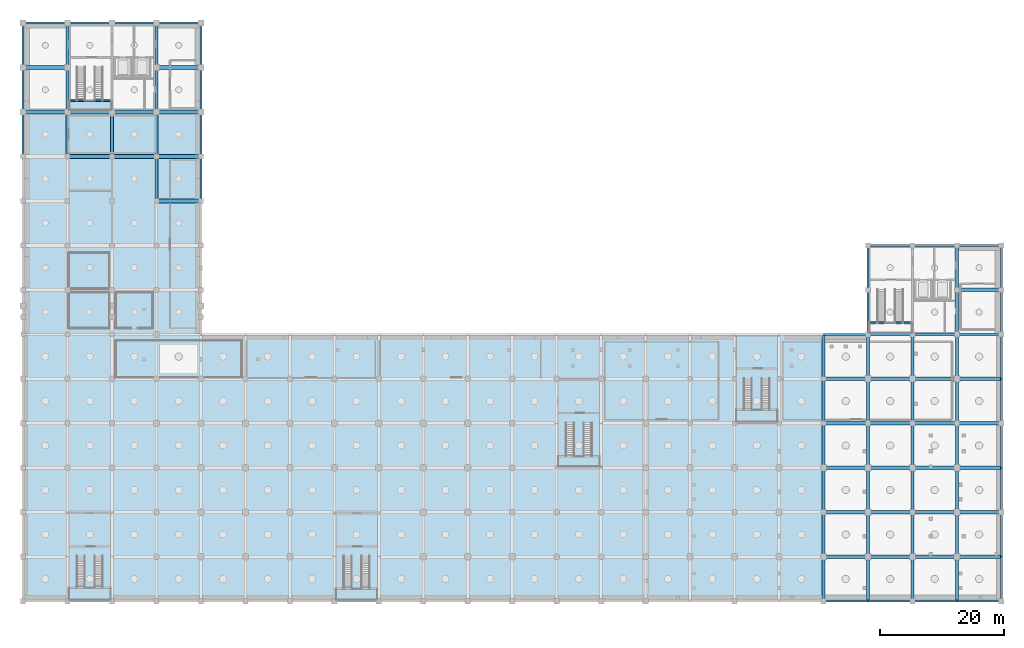
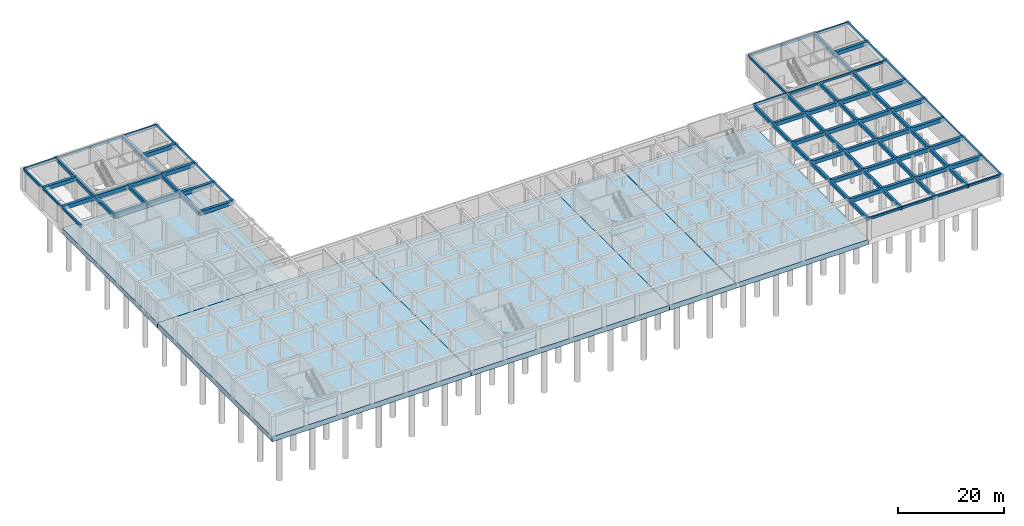
# One storey, part 5 of 15: 99 beams, 10 slabs, 5 elements without a shape of their own.
"""IFC4 building model written with IfcOpenShell, lengths in metres."""

from ifc_helpers import new_model, si_unit, direction, frame, origin, origin_2d, place, context, subcontext, project, spatial, polyline, rectangle, outline, extrude, material, layer, layer_set, material_profile, profile_set, type_object, element, aggregate, save


model = new_model("IFC4")

# Units and contexts
model_context = context("Model", 3, precision=1e-05, world=origin(), true_north=direction((0.0, 1.0)))
body_context = subcontext(model_context, "Body", "Model", "MODEL_VIEW")
ifc_project = project(units=[si_unit("LENGTHUNIT", "METRE"), si_unit("AREAUNIT", "SQUARE_METRE"), si_unit("VOLUMEUNIT", "CUBIC_METRE"), si_unit("PLANEANGLEUNIT", "RADIAN"), si_unit("MASSUNIT", "GRAM", prefix="KILO")], contexts=[model_context])

# Site, building, storey
site_placement = place(None, origin())
site = spatial("IfcSite", under=ifc_project, at=site_placement, CompositionType="ELEMENT")
building_placement = place(site_placement, origin())
building = spatial("IfcBuilding", under=site, at=building_placement, Name="Leyfeld Transit Interchange", CompositionType="ELEMENT")
storey_placement = place(building_placement, frame((0.0, 0.0, -10.800048828125)))
storey = spatial("IfcBuildingStorey", under=building, at=storey_placement, Name="B02", CompositionType="ELEMENT", Elevation=-10.800048828125)

# Beams
ifc_material_1 = material(Name="Concrete C35/45", Category="concrete")
ifc_material_profile_1 = material_profile(ifc_material_1, rectangle(XDim=0.300048828125, YDim=0.39990234375, at=origin_2d()), Name="RC 400x300")
ifc_profile_set_1 = profile_set([ifc_material_profile_1], Name="Concrete C35/45")
beam_type_1 = type_object("IfcBeamType", Name="BM-RC-400x300", PredefinedType="LINTEL", material=ifc_profile_set_1)
beam_1_placement = place(storey_placement, frame((7.425048828125, 95.4599609375, 2.5), z_axis=(1.0, 0.0, 0.0), x_axis=(0.0, 1.0, 0.0)))
element("IfcBeam", 1, at=beam_1_placement, inside=storey, type_object=beam_type_1, Name="Stair ST-01 B02 Half-Landing Corbel", PredefinedType="LINTEL", context=body_context, shape_type="SweptSolid", body=[
    extrude(rectangle(XDim=0.300048828125, YDim=0.39990234375, at=origin_2d()), origin(), (0.0, 0.0, 1.0), 6.974853515625),
])
beam_2_placement = place(storey_placement, frame((136.949951171875, 59.4599609375, 2.5), z_axis=(1.0, 0.0, 0.0), x_axis=(0.0, 1.0, 0.0)))
element("IfcBeam", 2, at=beam_2_placement, inside=storey, type_object=beam_type_1, Name="Stair ST-04 B02 Half-Landing Corbel", PredefinedType="LINTEL", context=body_context, shape_type="SweptSolid", body=[
    extrude(rectangle(XDim=0.300048828125, YDim=0.39990234375, at=origin_2d()), origin(), (0.0, 0.0, 1.0), 7.050048828125),
])
ifc_material_profile_2 = material_profile(ifc_material_1, rectangle(XDim=0.35009765625, YDim=0.5, at=origin_2d()), Name="RC 500x350")
ifc_profile_set_2 = profile_set([ifc_material_profile_2], Name="Concrete C35/45")
beam_type_2 = type_object("IfcBeamType", Name="BM-RC-500x350", PredefinedType="SPANDREL", material=ifc_profile_set_2)
beam_3_placement = place(storey_placement, frame((158.39990234375, 14.39990234375, 4.75), z_axis=(0.0, 1.0, 0.0), x_axis=(-1.0, 0.0, 0.0)))
element("IfcBeam", 3, at=beam_3_placement, inside=storey, type_object=beam_type_2, Name="Beam BM-B02-1584_0144-1584_0216", PredefinedType="SPANDREL", context=body_context, shape_type="SweptSolid", body=[
    extrude(rectangle(XDim=0.35009765625, YDim=0.5, at=origin_2d()), origin(), (0.0, 0.0, 1.0), 7.2001953125),
])
for number, where, z_axis, x_axis, name in (
    (4, (158.39990234375, 21.60009765625, 4.75), (0.0, 1.0, 0.0), (-1.0, 0.0, 0.0), "Beam BM-B02-1584_0216-1584_0288"),
    (5, (158.39990234375, 28.800048828125, 4.75), (0.0, 1.0, 0.0), (-1.0, 0.0, 0.0), "Beam BM-B02-1584_0288-1584_0360"),
    (6, (158.39990234375, 36.0, 4.75), (0.0, 1.0, 0.0), (-1.0, 0.0, 0.0), "Beam BM-B02-1584_0360-1584_0432"),
    (7, (158.39990234375, 43.199951171875, 4.75), (0.0, 1.0, 0.0), (-1.0, 0.0, 0.0), "Beam BM-B02-1584_0432-1584_0504"),
):
    element("IfcBeam", number, at=place(storey_placement, frame(where, z_axis=z_axis, x_axis=x_axis)), inside=storey, type_object=beam_type_2, Name=name, PredefinedType="SPANDREL", context=body_context, shape_type="SweptSolid", body=[
        extrude(rectangle(XDim=0.35009765625, YDim=0.5, at=origin_2d()), origin(), (0.0, 0.0, 1.0), 7.199951171875),
    ])
beam_4_placement = place(storey_placement, frame((158.39990234375, 50.39990234375, 4.75), z_axis=(0.0, 1.0, 0.0), x_axis=(-1.0, 0.0, 0.0)))
element("IfcBeam", 8, at=beam_4_placement, inside=storey, type_object=beam_type_2, Name="Beam BM-B02-1584_0504-1584_0576", PredefinedType="SPANDREL", context=body_context, shape_type="SweptSolid", body=[
    extrude(rectangle(XDim=0.35009765625, YDim=0.5, at=origin_2d()), origin(), (0.0, 0.0, 1.0), 7.2001953125),
])
for number, where, z_axis, x_axis, name in (
    (9, (129.60009765625, 14.39990234375, 4.75), (1.0, 0.0, 0.0), (0.0, 1.0, 0.0), "Beam BM-B02-1296_0144-1368_0144"),
    (10, (136.800048828125, 14.39990234375, 4.75), (1.0, 0.0, 0.0), (0.0, 1.0, 0.0), "Beam BM-B02-1368_0144-1440_0144"),
    (11, (144.0, 14.39990234375, 4.75), (1.0, 0.0, 0.0), (0.0, 1.0, 0.0), "Beam BM-B02-1440_0144-1512_0144"),
    (12, (151.199951171875, 14.39990234375, 4.75), (1.0, 0.0, 0.0), (0.0, 1.0, 0.0), "Beam BM-B02-1512_0144-1584_0144"),
    (13, (129.60009765625, 57.60009765625, 4.75), (1.0, 0.0, 0.0), (0.0, 1.0, 0.0), "Beam BM-B02-1296_0576-1368_0576"),
    (14, (136.800048828125, 57.60009765625, 4.75), (1.0, 0.0, 0.0), (0.0, 1.0, 0.0), "Beam BM-B02-1368_0576-1440_0576"),
    (15, (144.0, 57.60009765625, 4.75), (1.0, 0.0, 0.0), (0.0, 1.0, 0.0), "Beam BM-B02-1440_0576-1512_0576"),
    (16, (151.199951171875, 57.60009765625, 4.75), (1.0, 0.0, 0.0), (0.0, 1.0, 0.0), "Beam BM-B02-1512_0576-1584_0576"),
):
    element("IfcBeam", number, at=place(storey_placement, frame(where, z_axis=z_axis, x_axis=x_axis)), inside=storey, type_object=beam_type_2, Name=name, PredefinedType="SPANDREL", context=body_context, shape_type="SweptSolid", body=[
        extrude(rectangle(XDim=0.35009765625, YDim=0.5, at=origin_2d()), origin(), (0.0, 0.0, 1.0), 7.199951171875),
    ])
beam_5_placement = place(storey_placement, frame((0.0, 86.39990234375, 4.77001953125), z_axis=(0.0, 1.0, 0.0), x_axis=(-1.0, 0.0, 0.0)))
element("IfcBeam", 17, at=beam_5_placement, inside=storey, type_object=beam_type_2, Name="Beam BM-B02-0000_0864-0000_0936", PredefinedType="SPANDREL", context=body_context, shape_type="SweptSolid", body=[
    extrude(rectangle(XDim=0.35009765625, YDim=0.5, at=origin_2d()), origin(), (0.0, 0.0, 1.0), 7.2001953125),
])
for number, where, z_axis, x_axis, name in (
    (18, (0.0, 93.60009765625, 4.77001953125), (0.0, 1.0, 0.0), (-1.0, 0.0, 0.0), "Beam BM-B02-0000_0936-0000_1008"),
    (19, (0.0, 100.800048828125, 4.77001953125), (0.0, 1.0, 0.0), (-1.0, 0.0, 0.0), "Beam BM-B02-0000_1008-0000_1080"),
    (20, (28.800048828125, 79.199951171875, 4.77001953125), (0.0, 1.0, 0.0), (-1.0, 0.0, 0.0), "Beam BM-B02-0288_0792-0288_0864"),
):
    element("IfcBeam", number, at=place(storey_placement, frame(where, z_axis=z_axis, x_axis=x_axis)), inside=storey, type_object=beam_type_2, Name=name, PredefinedType="SPANDREL", context=body_context, shape_type="SweptSolid", body=[
        extrude(rectangle(XDim=0.35009765625, YDim=0.5, at=origin_2d()), origin(), (0.0, 0.0, 1.0), 7.199951171875),
    ])
beam_6_placement = place(storey_placement, frame((28.800048828125, 86.39990234375, 4.77001953125), z_axis=(0.0, 1.0, 0.0), x_axis=(-1.0, 0.0, 0.0)))
element("IfcBeam", 21, at=beam_6_placement, inside=storey, type_object=beam_type_2, Name="Beam BM-B02-0288_0864-0288_0936", PredefinedType="SPANDREL", context=body_context, shape_type="SweptSolid", body=[
    extrude(rectangle(XDim=0.35009765625, YDim=0.5, at=origin_2d()), origin(), (0.0, 0.0, 1.0), 7.2001953125),
])
for number, where, z_axis, x_axis, name in (
    (22, (28.800048828125, 93.60009765625, 4.77001953125), (0.0, 1.0, 0.0), (-1.0, 0.0, 0.0), "Beam BM-B02-0288_0936-0288_1008"),
    (23, (28.800048828125, 100.800048828125, 4.77001953125), (0.0, 1.0, 0.0), (-1.0, 0.0, 0.0), "Beam BM-B02-0288_1008-0288_1080"),
    (24, (0.0, 108.0, 4.77001953125), (1.0, 0.0, 0.0), (0.0, 1.0, 0.0), "Beam BM-B02-0000_1080-0072_1080"),
    (25, (7.199951171875, 108.0, 4.77001953125), (1.0, 0.0, 0.0), (0.0, 1.0, 0.0), "Beam BM-B02-0072_1080-0144_1080"),
):
    element("IfcBeam", number, at=place(storey_placement, frame(where, z_axis=z_axis, x_axis=x_axis)), inside=storey, type_object=beam_type_2, Name=name, PredefinedType="SPANDREL", context=body_context, shape_type="SweptSolid", body=[
        extrude(rectangle(XDim=0.35009765625, YDim=0.5, at=origin_2d()), origin(), (0.0, 0.0, 1.0), 7.199951171875),
    ])
beam_7_placement = place(storey_placement, frame((14.39990234375, 108.0, 4.77001953125), z_axis=(1.0, 0.0, 0.0), x_axis=(0.0, 1.0, 0.0)))
element("IfcBeam", 26, at=beam_7_placement, inside=storey, type_object=beam_type_2, Name="Beam BM-B02-0144_1080-0216_1080", PredefinedType="SPANDREL", context=body_context, shape_type="SweptSolid", body=[
    extrude(rectangle(XDim=0.35009765625, YDim=0.5, at=origin_2d()), origin(), (0.0, 0.0, 1.0), 7.2001953125),
])
for number, where, z_axis, x_axis, name in (
    (27, (21.60009765625, 108.0, 4.77001953125), (1.0, 0.0, 0.0), (0.0, 1.0, 0.0), "Beam BM-B02-0216_1080-0288_1080"),
    (28, (136.800048828125, 57.60009765625, 4.77001953125), (0.0, 1.0, 0.0), (-1.0, 0.0, 0.0), "Beam BM-B02-1368_0576-1368_0648"),
    (29, (136.800048828125, 64.800048828125, 4.77001953125), (0.0, 1.0, 0.0), (-1.0, 0.0, 0.0), "Beam BM-B02-1368_0648-1368_0720"),
    (30, (158.39990234375, 57.60009765625, 4.77001953125), (0.0, 1.0, 0.0), (-1.0, 0.0, 0.0), "Beam BM-B02-1584_0576-1584_0648"),
    (31, (158.39990234375, 64.800048828125, 4.77001953125), (0.0, 1.0, 0.0), (-1.0, 0.0, 0.0), "Beam BM-B02-1584_0648-1584_0720"),
    (32, (136.800048828125, 72.0, 4.77001953125), (1.0, 0.0, 0.0), (0.0, 1.0, 0.0), "Beam BM-B02-1368_0720-1440_0720"),
    (33, (144.0, 72.0, 4.77001953125), (1.0, 0.0, 0.0), (0.0, 1.0, 0.0), "Beam BM-B02-1440_0720-1512_0720"),
    (34, (151.199951171875, 72.0, 4.77001953125), (1.0, 0.0, 0.0), (0.0, 1.0, 0.0), "Beam BM-B02-1512_0720-1584_0720"),
):
    element("IfcBeam", number, at=place(storey_placement, frame(where, z_axis=z_axis, x_axis=x_axis)), inside=storey, type_object=beam_type_2, Name=name, PredefinedType="SPANDREL", context=body_context, shape_type="SweptSolid", body=[
        extrude(rectangle(XDim=0.35009765625, YDim=0.5, at=origin_2d()), origin(), (0.0, 0.0, 1.0), 7.199951171875),
    ])
ifc_material_profile_3 = material_profile(ifc_material_1, rectangle(XDim=0.5, YDim=0.800048828125, at=origin_2d()), Name="RC 800x500")
ifc_profile_set_3 = profile_set([ifc_material_profile_3], Name="Concrete C35/45")
beam_type_3 = type_object("IfcBeamType", Name="BM-RC-800x500", PredefinedType="JOIST", material=ifc_profile_set_3)
beam_8_placement = place(storey_placement, frame((129.60009765625, 14.39990234375, 4.60009765625), z_axis=(0.0, 1.0, 0.0), x_axis=(-1.0, 0.0, 0.0)))
element("IfcBeam", 35, at=beam_8_placement, inside=storey, type_object=beam_type_3, Name="Beam BM-B02-1296_0144-1296_0216", PredefinedType="JOIST", context=body_context, shape_type="SweptSolid", body=[
    extrude(rectangle(XDim=0.5, YDim=0.800048828125, at=origin_2d()), origin(), (0.0, 0.0, 1.0), 7.2001953125),
])
for number, where, z_axis, x_axis, name in (
    (36, (129.60009765625, 21.60009765625, 4.60009765625), (0.0, 1.0, 0.0), (-1.0, 0.0, 0.0), "Beam BM-B02-1296_0216-1296_0288"),
    (37, (129.60009765625, 28.800048828125, 4.60009765625), (0.0, 1.0, 0.0), (-1.0, 0.0, 0.0), "Beam BM-B02-1296_0288-1296_0360"),
    (38, (129.60009765625, 36.0, 4.60009765625), (0.0, 1.0, 0.0), (-1.0, 0.0, 0.0), "Beam BM-B02-1296_0360-1296_0432"),
    (39, (129.60009765625, 43.199951171875, 4.60009765625), (0.0, 1.0, 0.0), (-1.0, 0.0, 0.0), "Beam BM-B02-1296_0432-1296_0504"),
):
    element("IfcBeam", number, at=place(storey_placement, frame(where, z_axis=z_axis, x_axis=x_axis)), inside=storey, type_object=beam_type_3, Name=name, PredefinedType="JOIST", context=body_context, shape_type="SweptSolid", body=[
        extrude(rectangle(XDim=0.5, YDim=0.800048828125, at=origin_2d()), origin(), (0.0, 0.0, 1.0), 7.199951171875),
    ])
for number, where, z_axis, x_axis, name in (
    (40, (129.60009765625, 50.39990234375, 4.60009765625), (0.0, 1.0, 0.0), (-1.0, 0.0, 0.0), "Beam BM-B02-1296_0504-1296_0576"),
    (41, (136.800048828125, 14.39990234375, 4.60009765625), (0.0, 1.0, 0.0), (-1.0, 0.0, 0.0), "Beam BM-B02-1368_0144-1368_0216"),
):
    element("IfcBeam", number, at=place(storey_placement, frame(where, z_axis=z_axis, x_axis=x_axis)), inside=storey, type_object=beam_type_3, Name=name, PredefinedType="JOIST", context=body_context, shape_type="SweptSolid", body=[
        extrude(rectangle(XDim=0.5, YDim=0.800048828125, at=origin_2d()), origin(), (0.0, 0.0, 1.0), 7.2001953125),
    ])
for number, where, z_axis, x_axis, name in (
    (42, (136.800048828125, 21.60009765625, 4.60009765625), (0.0, 1.0, 0.0), (-1.0, 0.0, 0.0), "Beam BM-B02-1368_0216-1368_0288"),
    (43, (136.800048828125, 28.800048828125, 4.60009765625), (0.0, 1.0, 0.0), (-1.0, 0.0, 0.0), "Beam BM-B02-1368_0288-1368_0360"),
    (44, (136.800048828125, 36.0, 4.60009765625), (0.0, 1.0, 0.0), (-1.0, 0.0, 0.0), "Beam BM-B02-1368_0360-1368_0432"),
    (45, (136.800048828125, 43.199951171875, 4.60009765625), (0.0, 1.0, 0.0), (-1.0, 0.0, 0.0), "Beam BM-B02-1368_0432-1368_0504"),
):
    element("IfcBeam", number, at=place(storey_placement, frame(where, z_axis=z_axis, x_axis=x_axis)), inside=storey, type_object=beam_type_3, Name=name, PredefinedType="JOIST", context=body_context, shape_type="SweptSolid", body=[
        extrude(rectangle(XDim=0.5, YDim=0.800048828125, at=origin_2d()), origin(), (0.0, 0.0, 1.0), 7.199951171875),
    ])
for number, where, z_axis, x_axis, name in (
    (46, (136.800048828125, 50.39990234375, 4.60009765625), (0.0, 1.0, 0.0), (-1.0, 0.0, 0.0), "Beam BM-B02-1368_0504-1368_0576"),
    (47, (144.0, 14.39990234375, 4.60009765625), (0.0, 1.0, 0.0), (-1.0, 0.0, 0.0), "Beam BM-B02-1440_0144-1440_0216"),
):
    element("IfcBeam", number, at=place(storey_placement, frame(where, z_axis=z_axis, x_axis=x_axis)), inside=storey, type_object=beam_type_3, Name=name, PredefinedType="JOIST", context=body_context, shape_type="SweptSolid", body=[
        extrude(rectangle(XDim=0.5, YDim=0.800048828125, at=origin_2d()), origin(), (0.0, 0.0, 1.0), 7.2001953125),
    ])
for number, where, z_axis, x_axis, name in (
    (48, (144.0, 21.60009765625, 4.60009765625), (0.0, 1.0, 0.0), (-1.0, 0.0, 0.0), "Beam BM-B02-1440_0216-1440_0288"),
    (49, (144.0, 28.800048828125, 4.60009765625), (0.0, 1.0, 0.0), (-1.0, 0.0, 0.0), "Beam BM-B02-1440_0288-1440_0360"),
    (50, (144.0, 36.0, 4.60009765625), (0.0, 1.0, 0.0), (-1.0, 0.0, 0.0), "Beam BM-B02-1440_0360-1440_0432"),
    (51, (144.0, 43.199951171875, 4.60009765625), (0.0, 1.0, 0.0), (-1.0, 0.0, 0.0), "Beam BM-B02-1440_0432-1440_0504"),
):
    element("IfcBeam", number, at=place(storey_placement, frame(where, z_axis=z_axis, x_axis=x_axis)), inside=storey, type_object=beam_type_3, Name=name, PredefinedType="JOIST", context=body_context, shape_type="SweptSolid", body=[
        extrude(rectangle(XDim=0.5, YDim=0.800048828125, at=origin_2d()), origin(), (0.0, 0.0, 1.0), 7.199951171875),
    ])
for number, where, z_axis, x_axis, name in (
    (52, (144.0, 50.39990234375, 4.60009765625), (0.0, 1.0, 0.0), (-1.0, 0.0, 0.0), "Beam BM-B02-1440_0504-1440_0576"),
    (53, (151.199951171875, 14.39990234375, 4.60009765625), (0.0, 1.0, 0.0), (-1.0, 0.0, 0.0), "Beam BM-B02-1512_0144-1512_0216"),
):
    element("IfcBeam", number, at=place(storey_placement, frame(where, z_axis=z_axis, x_axis=x_axis)), inside=storey, type_object=beam_type_3, Name=name, PredefinedType="JOIST", context=body_context, shape_type="SweptSolid", body=[
        extrude(rectangle(XDim=0.5, YDim=0.800048828125, at=origin_2d()), origin(), (0.0, 0.0, 1.0), 7.2001953125),
    ])
for number, where, z_axis, x_axis, name in (
    (54, (151.199951171875, 21.60009765625, 4.60009765625), (0.0, 1.0, 0.0), (-1.0, 0.0, 0.0), "Beam BM-B02-1512_0216-1512_0288"),
    (55, (151.199951171875, 28.800048828125, 4.60009765625), (0.0, 1.0, 0.0), (-1.0, 0.0, 0.0), "Beam BM-B02-1512_0288-1512_0360"),
    (56, (151.199951171875, 36.0, 4.60009765625), (0.0, 1.0, 0.0), (-1.0, 0.0, 0.0), "Beam BM-B02-1512_0360-1512_0432"),
    (57, (151.199951171875, 43.199951171875, 4.60009765625), (0.0, 1.0, 0.0), (-1.0, 0.0, 0.0), "Beam BM-B02-1512_0432-1512_0504"),
):
    element("IfcBeam", number, at=place(storey_placement, frame(where, z_axis=z_axis, x_axis=x_axis)), inside=storey, type_object=beam_type_3, Name=name, PredefinedType="JOIST", context=body_context, shape_type="SweptSolid", body=[
        extrude(rectangle(XDim=0.5, YDim=0.800048828125, at=origin_2d()), origin(), (0.0, 0.0, 1.0), 7.199951171875),
    ])
for number, where, z_axis, x_axis, name in (
    (58, (151.199951171875, 50.39990234375, 4.60009765625), (0.0, 1.0, 0.0), (-1.0, 0.0, 0.0), "Beam BM-B02-1512_0504-1512_0576"),
    (59, (7.199951171875, 86.39990234375, 4.6201171875), (0.0, 1.0, 0.0), (-1.0, 0.0, 0.0), "Beam BM-B02-0072_0864-0072_0936"),
):
    element("IfcBeam", number, at=place(storey_placement, frame(where, z_axis=z_axis, x_axis=x_axis)), inside=storey, type_object=beam_type_3, Name=name, PredefinedType="JOIST", context=body_context, shape_type="SweptSolid", body=[
        extrude(rectangle(XDim=0.5, YDim=0.800048828125, at=origin_2d()), origin(), (0.0, 0.0, 1.0), 7.2001953125),
    ])
for number, where, z_axis, x_axis, name in (
    (60, (7.199951171875, 93.60009765625, 4.6201171875), (0.0, 1.0, 0.0), (-1.0, 0.0, 0.0), "Beam BM-B02-0072_0936-0072_1008"),
    (61, (7.199951171875, 100.800048828125, 4.6201171875), (0.0, 1.0, 0.0), (-1.0, 0.0, 0.0), "Beam BM-B02-0072_1008-0072_1080"),
):
    element("IfcBeam", number, at=place(storey_placement, frame(where, z_axis=z_axis, x_axis=x_axis)), inside=storey, type_object=beam_type_3, Name=name, PredefinedType="JOIST", context=body_context, shape_type="SweptSolid", body=[
        extrude(rectangle(XDim=0.5, YDim=0.800048828125, at=origin_2d()), origin(), (0.0, 0.0, 1.0), 7.199951171875),
    ])
beam_9_placement = place(storey_placement, frame((14.39990234375, 86.39990234375, 4.6201171875), z_axis=(0.0, 1.0, 0.0), x_axis=(-1.0, 0.0, 0.0)))
element("IfcBeam", 62, at=beam_9_placement, inside=storey, type_object=beam_type_3, Name="Beam BM-B02-0144_0864-0144_0936", PredefinedType="JOIST", context=body_context, shape_type="SweptSolid", body=[
    extrude(rectangle(XDim=0.5, YDim=0.800048828125, at=origin_2d()), origin(), (0.0, 0.0, 1.0), 7.2001953125),
])
beam_10_placement = place(storey_placement, frame((21.60009765625, 79.199951171875, 4.6201171875), z_axis=(0.0, 1.0, 0.0), x_axis=(-1.0, 0.0, 0.0)))
element("IfcBeam", 63, at=beam_10_placement, inside=storey, type_object=beam_type_3, Name="Beam BM-B02-0216_0792-0216_0864", PredefinedType="JOIST", context=body_context, shape_type="SweptSolid", body=[
    extrude(rectangle(XDim=0.5, YDim=0.800048828125, at=origin_2d()), origin(), (0.0, 0.0, 1.0), 7.199951171875),
])
beam_11_placement = place(storey_placement, frame((21.60009765625, 86.39990234375, 4.6201171875), z_axis=(0.0, 1.0, 0.0), x_axis=(-1.0, 0.0, 0.0)))
element("IfcBeam", 64, at=beam_11_placement, inside=storey, type_object=beam_type_3, Name="Beam BM-B02-0216_0864-0216_0936", PredefinedType="JOIST", context=body_context, shape_type="SweptSolid", body=[
    extrude(rectangle(XDim=0.5, YDim=0.800048828125, at=origin_2d()), origin(), (0.0, 0.0, 1.0), 7.2001953125),
])
for number, where, z_axis, x_axis, name in (
    (65, (21.60009765625, 93.60009765625, 4.6201171875), (0.0, 1.0, 0.0), (-1.0, 0.0, 0.0), "Beam BM-B02-0216_0936-0216_1008"),
    (66, (21.60009765625, 100.800048828125, 4.6201171875), (0.0, 1.0, 0.0), (-1.0, 0.0, 0.0), "Beam BM-B02-0216_1008-0216_1080"),
    (67, (151.199951171875, 57.60009765625, 4.6201171875), (0.0, 1.0, 0.0), (-1.0, 0.0, 0.0), "Beam BM-B02-1512_0576-1512_0648"),
    (68, (151.199951171875, 64.800048828125, 4.6201171875), (0.0, 1.0, 0.0), (-1.0, 0.0, 0.0), "Beam BM-B02-1512_0648-1512_0720"),
):
    element("IfcBeam", number, at=place(storey_placement, frame(where, z_axis=z_axis, x_axis=x_axis)), inside=storey, type_object=beam_type_3, Name=name, PredefinedType="JOIST", context=body_context, shape_type="SweptSolid", body=[
        extrude(rectangle(XDim=0.5, YDim=0.800048828125, at=origin_2d()), origin(), (0.0, 0.0, 1.0), 7.199951171875),
    ])
ifc_material_profile_4 = material_profile(ifc_material_1, rectangle(XDim=0.60009765625, YDim=0.89990234375, at=origin_2d()), Name="RC 900x600")
ifc_profile_set_4 = profile_set([ifc_material_profile_4], Name="Concrete C35/45")
beam_type_4 = type_object("IfcBeamType", Name="BM-RC-900x600", PredefinedType="JOIST", material=ifc_profile_set_4)
for number, where, z_axis, x_axis, name in (
    (69, (129.60009765625, 21.60009765625, 4.550048828125), (1.0, 0.0, 0.0), (0.0, 1.0, 0.0), "Beam BM-B02-1296_0216-1368_0216"),
    (70, (136.800048828125, 21.60009765625, 4.550048828125), (1.0, 0.0, 0.0), (0.0, 1.0, 0.0), "Beam BM-B02-1368_0216-1440_0216"),
    (71, (144.0, 21.60009765625, 4.550048828125), (1.0, 0.0, 0.0), (0.0, 1.0, 0.0), "Beam BM-B02-1440_0216-1512_0216"),
    (72, (151.199951171875, 21.60009765625, 4.550048828125), (1.0, 0.0, 0.0), (0.0, 1.0, 0.0), "Beam BM-B02-1512_0216-1584_0216"),
    (73, (129.60009765625, 28.800048828125, 4.550048828125), (1.0, 0.0, 0.0), (0.0, 1.0, 0.0), "Beam BM-B02-1296_0288-1368_0288"),
    (74, (136.800048828125, 28.800048828125, 4.550048828125), (1.0, 0.0, 0.0), (0.0, 1.0, 0.0), "Beam BM-B02-1368_0288-1440_0288"),
    (75, (144.0, 28.800048828125, 4.550048828125), (1.0, 0.0, 0.0), (0.0, 1.0, 0.0), "Beam BM-B02-1440_0288-1512_0288"),
    (76, (151.199951171875, 28.800048828125, 4.550048828125), (1.0, 0.0, 0.0), (0.0, 1.0, 0.0), "Beam BM-B02-1512_0288-1584_0288"),
    (77, (129.60009765625, 36.0, 4.550048828125), (1.0, 0.0, 0.0), (0.0, 1.0, 0.0), "Beam BM-B02-1296_0360-1368_0360"),
    (78, (136.800048828125, 36.0, 4.550048828125), (1.0, 0.0, 0.0), (0.0, 1.0, 0.0), "Beam BM-B02-1368_0360-1440_0360"),
    (79, (144.0, 36.0, 4.550048828125), (1.0, 0.0, 0.0), (0.0, 1.0, 0.0), "Beam BM-B02-1440_0360-1512_0360"),
    (80, (151.199951171875, 36.0, 4.550048828125), (1.0, 0.0, 0.0), (0.0, 1.0, 0.0), "Beam BM-B02-1512_0360-1584_0360"),
    (81, (129.60009765625, 43.199951171875, 4.550048828125), (1.0, 0.0, 0.0), (0.0, 1.0, 0.0), "Beam BM-B02-1296_0432-1368_0432"),
    (82, (136.800048828125, 43.199951171875, 4.550048828125), (1.0, 0.0, 0.0), (0.0, 1.0, 0.0), "Beam BM-B02-1368_0432-1440_0432"),
    (83, (144.0, 43.199951171875, 4.550048828125), (1.0, 0.0, 0.0), (0.0, 1.0, 0.0), "Beam BM-B02-1440_0432-1512_0432"),
    (84, (151.199951171875, 43.199951171875, 4.550048828125), (1.0, 0.0, 0.0), (0.0, 1.0, 0.0), "Beam BM-B02-1512_0432-1584_0432"),
    (85, (129.60009765625, 50.39990234375, 4.550048828125), (1.0, 0.0, 0.0), (0.0, 1.0, 0.0), "Beam BM-B02-1296_0504-1368_0504"),
    (86, (136.800048828125, 50.39990234375, 4.550048828125), (1.0, 0.0, 0.0), (0.0, 1.0, 0.0), "Beam BM-B02-1368_0504-1440_0504"),
    (87, (144.0, 50.39990234375, 4.550048828125), (1.0, 0.0, 0.0), (0.0, 1.0, 0.0), "Beam BM-B02-1440_0504-1512_0504"),
    (88, (151.199951171875, 50.39990234375, 4.550048828125), (1.0, 0.0, 0.0), (0.0, 1.0, 0.0), "Beam BM-B02-1512_0504-1584_0504"),
    (89, (21.60009765625, 79.199951171875, 4.570068359375), (1.0, 0.0, 0.0), (0.0, 1.0, 0.0), "Beam BM-B02-0216_0792-0288_0792"),
    (90, (7.199951171875, 86.39990234375, 4.570068359375), (1.0, 0.0, 0.0), (0.0, 1.0, 0.0), "Beam BM-B02-0072_0864-0144_0864"),
):
    element("IfcBeam", number, at=place(storey_placement, frame(where, z_axis=z_axis, x_axis=x_axis)), inside=storey, type_object=beam_type_4, Name=name, PredefinedType="JOIST", context=body_context, shape_type="SweptSolid", body=[
        extrude(rectangle(XDim=0.60009765625, YDim=0.89990234375, at=origin_2d()), origin(), (0.0, 0.0, 1.0), 7.199951171875),
    ])
beam_12_placement = place(storey_placement, frame((14.39990234375, 86.39990234375, 4.570068359375), z_axis=(1.0, 0.0, 0.0), x_axis=(0.0, 1.0, 0.0)))
element("IfcBeam", 91, at=beam_12_placement, inside=storey, type_object=beam_type_4, Name="Beam BM-B02-0144_0864-0216_0864", PredefinedType="JOIST", context=body_context, shape_type="SweptSolid", body=[
    extrude(rectangle(XDim=0.60009765625, YDim=0.89990234375, at=origin_2d()), origin(), (0.0, 0.0, 1.0), 7.2001953125),
])
for number, where, z_axis, x_axis, name in (
    (92, (21.60009765625, 86.39990234375, 4.570068359375), (1.0, 0.0, 0.0), (0.0, 1.0, 0.0), "Beam BM-B02-0216_0864-0288_0864"),
    (93, (0.0, 93.60009765625, 4.570068359375), (1.0, 0.0, 0.0), (0.0, 1.0, 0.0), "Beam BM-B02-0000_0936-0072_0936"),
    (94, (7.199951171875, 93.60009765625, 4.570068359375), (1.0, 0.0, 0.0), (0.0, 1.0, 0.0), "Beam BM-B02-0072_0936-0144_0936"),
):
    element("IfcBeam", number, at=place(storey_placement, frame(where, z_axis=z_axis, x_axis=x_axis)), inside=storey, type_object=beam_type_4, Name=name, PredefinedType="JOIST", context=body_context, shape_type="SweptSolid", body=[
        extrude(rectangle(XDim=0.60009765625, YDim=0.89990234375, at=origin_2d()), origin(), (0.0, 0.0, 1.0), 7.199951171875),
    ])
beam_13_placement = place(storey_placement, frame((14.39990234375, 93.60009765625, 4.570068359375), z_axis=(1.0, 0.0, 0.0), x_axis=(0.0, 1.0, 0.0)))
element("IfcBeam", 95, at=beam_13_placement, inside=storey, type_object=beam_type_4, Name="Beam BM-B02-0144_0936-0216_0936", PredefinedType="JOIST", context=body_context, shape_type="SweptSolid", body=[
    extrude(rectangle(XDim=0.60009765625, YDim=0.89990234375, at=origin_2d()), origin(), (0.0, 0.0, 1.0), 7.2001953125),
])
for number, where, z_axis, x_axis, name in (
    (96, (21.60009765625, 93.60009765625, 4.570068359375), (1.0, 0.0, 0.0), (0.0, 1.0, 0.0), "Beam BM-B02-0216_0936-0288_0936"),
    (97, (0.0, 100.800048828125, 4.570068359375), (1.0, 0.0, 0.0), (0.0, 1.0, 0.0), "Beam BM-B02-0000_1008-0072_1008"),
    (98, (21.60009765625, 100.800048828125, 4.570068359375), (1.0, 0.0, 0.0), (0.0, 1.0, 0.0), "Beam BM-B02-0216_1008-0288_1008"),
    (99, (151.199951171875, 64.800048828125, 4.570068359375), (1.0, 0.0, 0.0), (0.0, 1.0, 0.0), "Beam BM-B02-1512_0648-1584_0648"),
):
    element("IfcBeam", number, at=place(storey_placement, frame(where, z_axis=z_axis, x_axis=x_axis)), inside=storey, type_object=beam_type_4, Name=name, PredefinedType="JOIST", context=body_context, shape_type="SweptSolid", body=[
        extrude(rectangle(XDim=0.60009765625, YDim=0.89990234375, at=origin_2d()), origin(), (0.0, 0.0, 1.0), 7.199951171875),
    ])

# Stair, slab
ifc_material_2 = material(Name="Precast concrete C40/50", Category="concrete")
stair_type_1 = type_object("IfcStairType", Name="STR-HT-150x320", PredefinedType="HALF_TURN_STAIR", material=ifc_material_2)
stair_1_placement = place(storey_placement, origin())
stair_1 = element("IfcStair", 100, at=stair_1_placement, inside=storey, type_object=stair_type_1, Name="Exit Stair ST-01 (B02 to B01)", PredefinedType="HALF_TURN_STAIR")
ifc_layer_1 = layer(ifc_material_2, 0.199951171875, Name="Precast concrete C40/50")
ifc_layer_set_1 = layer_set([ifc_layer_1], Name="Precast concrete C40/50")
slab_type_1 = type_object("IfcSlabType", Name="SLB-LND-200", PredefinedType="LANDING", material=ifc_layer_set_1)
slab_1_placement = place(storey_placement, frame((0.0, 0.0, 2.5)))
slab_1 = element("IfcSlab", 101, at=slab_1_placement, type_object=slab_type_1, Name="Stair ST-01 B02 Half Landing", PredefinedType="LANDING", context=body_context, shape_type="SweptSolid", body=[
    extrude(outline(polyline([(7.429931640625, 93.830078125), (14.39501953125, 93.830078125), (14.39501953125, 95.4599609375), (7.429931640625, 95.4599609375), (7.429931640625, 93.830078125)])), origin(), (0.0, 0.0, 1.0), 0.199951171875),
])
aggregate(stair_1, [slab_1])

stair_type_2 = type_object("IfcStairType", Name="STR-HT-150x300", PredefinedType="HALF_TURN_STAIR", material=ifc_material_2)
stair_2_placement = place(storey_placement, origin())
stair_2 = element("IfcStair", 102, at=stair_2_placement, inside=storey, type_object=stair_type_2, Name="Exit Stair ST-06 (B02 to B01)", PredefinedType="HALF_TURN_STAIR")
slab_2_placement = place(storey_placement, frame((0.0, 0.0, 2.5)))
slab_2 = element("IfcSlab", 103, at=slab_2_placement, type_object=slab_type_1, Name="Stair ST-06 B02 Half Landing", PredefinedType="LANDING", context=body_context, shape_type="SweptSolid", body=[
    extrude(outline(polyline([(7.344970703125, 14.544921875), (14.2548828125, 14.544921875), (14.2548828125, 16.60009765625), (7.344970703125, 16.60009765625), (7.344970703125, 14.544921875)])), origin(), (0.0, 0.0, 1.0), 0.199951171875),
])
aggregate(stair_2, [slab_2])

stair_3_placement = place(storey_placement, origin())
stair_3 = element("IfcStair", 104, at=stair_3_placement, inside=storey, type_object=stair_type_1, Name="Exit Stair ST-07 (B02 to B01)", PredefinedType="HALF_TURN_STAIR")
slab_3_placement = place(storey_placement, frame((0.0, 0.0, 2.5)))
slab_3 = element("IfcSlab", 105, at=slab_3_placement, type_object=slab_type_1, Name="Stair ST-07 B02 Half Landing", PredefinedType="LANDING", context=body_context, shape_type="SweptSolid", body=[
    extrude(outline(polyline([(86.56494140625, 36.1650390625), (93.43505859375, 36.1650390625), (93.43505859375, 37.860107421875), (86.56494140625, 37.860107421875), (86.56494140625, 36.1650390625)])), origin(), (0.0, 0.0, 1.0), 0.199951171875),
])
aggregate(stair_3, [slab_3])

stair_type_3 = type_object("IfcStairType", Name="STR-HT-150x310", PredefinedType="HALF_TURN_STAIR", material=ifc_material_2)
stair_4_placement = place(storey_placement, origin())
stair_4 = element("IfcStair", 106, at=stair_4_placement, inside=storey, type_object=stair_type_3, Name="Exit Stair ST-08 (B02 to B01)", PredefinedType="HALF_TURN_STAIR")
slab_4_placement = place(storey_placement, frame((0.0, 0.0, 2.5)))
slab_4 = element("IfcSlab", 107, at=slab_4_placement, type_object=slab_type_1, Name="Stair ST-08 B02 Half Landing", PredefinedType="LANDING", context=body_context, shape_type="SweptSolid", body=[
    extrude(outline(polyline([(50.570068359375, 14.570068359375), (57.429931640625, 14.570068359375), (57.429931640625, 16.429931640625), (50.570068359375, 16.429931640625), (50.570068359375, 14.570068359375)])), origin(), (0.0, 0.0, 1.0), 0.199951171875),
])
aggregate(stair_4, [slab_4])

stair_5_placement = place(storey_placement, origin())
stair_5 = element("IfcStair", 108, at=stair_5_placement, inside=storey, type_object=stair_type_2, Name="Exit Stair ST-09 (B02 to B01)", PredefinedType="HALF_TURN_STAIR")
slab_5_placement = place(storey_placement, frame((0.0, 0.0, 2.5)))
slab_5 = element("IfcSlab", 109, at=slab_5_placement, type_object=slab_type_1, Name="Stair ST-09 B02 Half Landing", PredefinedType="LANDING", context=body_context, shape_type="SweptSolid", body=[
    extrude(outline(polyline([(115.389892578125, 43.389892578125), (122.2099609375, 43.389892578125), (122.2099609375, 45.39990234375), (115.389892578125, 45.39990234375), (115.389892578125, 43.389892578125)])), origin(), (0.0, 0.0, 1.0), 0.199951171875),
])
aggregate(stair_5, [slab_5])

# Slabs
ifc_layer_2 = layer(ifc_material_1, 1.199951171875, Name="Concrete C35/45")
ifc_layer_set_2 = layer_set([ifc_layer_2], Name="Concrete C35/45")
slab_type_2 = type_object("IfcSlabType", Name="SLB-RAFT-1200", PredefinedType="BASESLAB", material=ifc_layer_set_2)
slab_6_placement = place(storey_placement, frame((0.0, 0.0, -1.199951171875)))
element("IfcSlab", 110, at=slab_6_placement, inside=storey, type_object=slab_type_2, Name="Slab M_MAIN B02 B1", PredefinedType="BASESLAB", context=body_context, shape_type="SweptSolid", body=[
    extrude(outline(polyline([(0.0, 57.60009765625), (0.0, 14.39990234375), (43.199951171875, 14.39990234375), (43.199951171875, 57.60009765625), (0.0, 57.60009765625)])), origin(), (0.0, 0.0, 1.0), 1.199951171875),
])
slab_7_placement = place(storey_placement, frame((0.0, 0.0, -1.199951171875)))
element("IfcSlab", 111, at=slab_7_placement, inside=storey, type_object=slab_type_2, Name="Slab M_MAIN B02 B2", PredefinedType="BASESLAB", context=body_context, shape_type="SweptSolid", body=[
    extrude(outline(polyline([(43.199951171875, 57.60009765625), (43.199951171875, 14.39990234375), (86.39990234375, 14.39990234375), (86.39990234375, 57.60009765625), (43.199951171875, 57.60009765625)])), origin(), (0.0, 0.0, 1.0), 1.199951171875),
])
slab_8_placement = place(storey_placement, frame((0.0, 0.0, -1.199951171875)))
element("IfcSlab", 112, at=slab_8_placement, inside=storey, type_object=slab_type_2, Name="Slab M_MAIN B02 B3", PredefinedType="BASESLAB", context=body_context, shape_type="SweptSolid", body=[
    extrude(outline(polyline([(129.60009765625, 57.60009765625), (100.824951171875, 57.60009765625), (100.824951171875, 14.39990234375), (129.60009765625, 14.39990234375), (129.60009765625, 57.60009765625)])), origin(), (0.0, 0.0, 1.0), 1.199951171875),
])
slab_9_placement = place(storey_placement, frame((0.0, 0.0, -1.199951171875)))
element("IfcSlab", 113, at=slab_9_placement, inside=storey, type_object=slab_type_2, Name="Slab M_MAIN B02 B3", PredefinedType="BASESLAB", context=body_context, shape_type="SweptSolid", body=[
    extrude(outline(polyline([(100.77490234375, 14.39990234375), (100.77490234375, 57.60009765625), (86.39990234375, 57.60009765625), (86.39990234375, 14.39990234375), (100.77490234375, 14.39990234375)])), origin(), (0.0, 0.0, 1.0), 1.199951171875),
])
slab_10_placement = place(storey_placement, frame((0.0, 0.0, -1.199951171875)))
element("IfcSlab", 114, at=slab_10_placement, inside=storey, type_object=slab_type_2, Name="Slab M_WEST B02 B1", PredefinedType="BASESLAB", context=body_context, shape_type="SweptSolid", body=[
    extrude(outline(polyline([(28.800048828125, 57.60009765625), (28.800048828125, 93.574951171875), (0.0, 93.574951171875), (0.0, 57.60009765625), (28.800048828125, 57.60009765625)])), origin(), (0.0, 0.0, 1.0), 1.199951171875),
])

save(model, "model.ifc")
